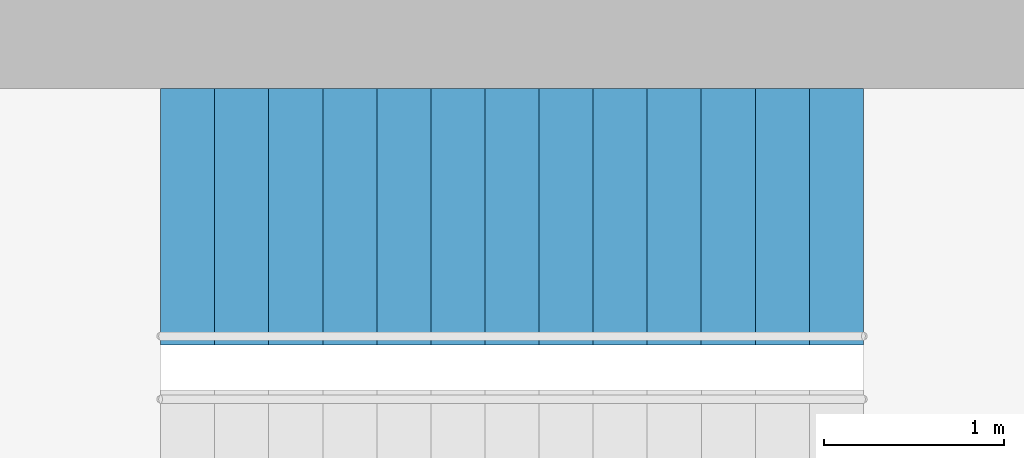
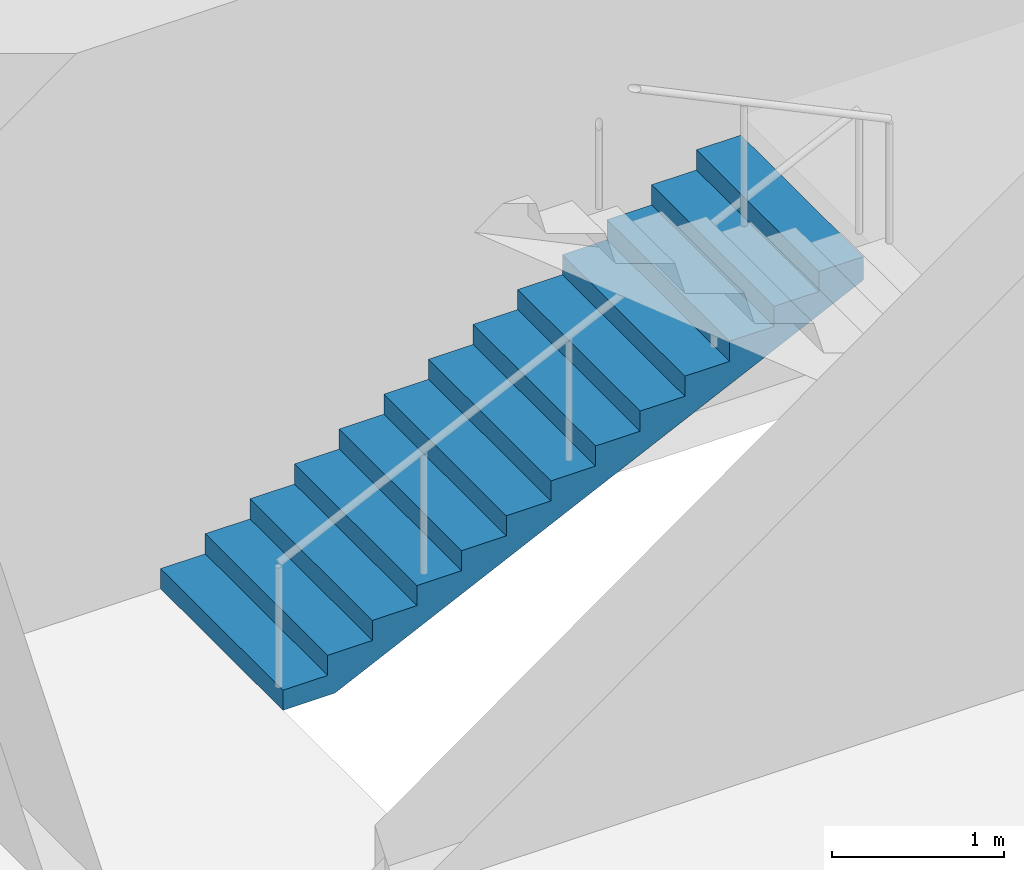
# One storey, part 44 of 45: 1 stair flight, 1 element without a shape of its own.
"""IFC4 building model written with IfcOpenShell, lengths in metres."""

from ifc_helpers import new_model, si_unit, direction, frame, origin, place, context, subcontext, project, spatial, polyline, outline, extrude, material, type_object, element, aggregate, save


model = new_model("IFC4")

# Units and contexts
model_context = context("Model", 3, precision=1e-05, world=origin(), true_north=direction((0.0, 1.0)))
body_context = subcontext(model_context, "Body", "Model", "MODEL_VIEW")
ifc_project = project(units=[si_unit("LENGTHUNIT", "METRE"), si_unit("AREAUNIT", "SQUARE_METRE"), si_unit("VOLUMEUNIT", "CUBIC_METRE"), si_unit("PLANEANGLEUNIT", "RADIAN"), si_unit("MASSUNIT", "GRAM", prefix="KILO")], contexts=[model_context])

# Site, building, storey
site_placement = place(None, origin())
site = spatial("IfcSite", under=ifc_project, at=site_placement, CompositionType="ELEMENT")
building_placement = place(site_placement, origin())
building = spatial("IfcBuilding", under=site, at=building_placement, Name="Zorevar Civic Tower", CompositionType="ELEMENT")
storey_placement = place(building_placement, frame((0.0, 0.0, 303.39990234375)))
storey = spatial("IfcBuildingStorey", under=building, at=storey_placement, Name="L74", CompositionType="ELEMENT", Elevation=303.39990234375)

# Stair, stair flight
ifc_material_1 = material(Name="Precast concrete C40/50", Category="concrete")
stair_type = type_object("IfcStairType", Name="Stair ST 28R", PredefinedType="HALF_TURN_STAIR", material=ifc_material_1)
stair_placement = place(storey_placement, origin())
stair = element("IfcStair", 1, at=stair_placement, inside=storey, type_object=stair_type, Name="Stair ST2 L74", PredefinedType="HALF_TURN_STAIR")
ifc_material_2 = material(Name="Precast concrete C40/50", Category="concrete")
stair_flight_type = type_object("IfcStairFlightType", Name="Stair flight", PredefinedType="STRAIGHT", material=ifc_material_2)
stair_flight_placement = place(storey_placement, frame((37.949951171875, 34.737548828125, 0.0), z_axis=(0.0, 0.0, 1.0), x_axis=(1.0, 0.0, 0.0)))
stair_flight = element("IfcStairFlight", 2, at=stair_flight_placement, type_object=stair_flight_type, Name="ST2 flight 1", NumberOfRisers=14, NumberOfTreads=13, PredefinedType="STRAIGHT", RiserHeight=0.142857143, TreadLength=0.3, context=body_context, shape_type="SweptSolid", body=[
    extrude(outline(polyline([(0.0, 0.0), (0.0, 0.142822265625), (0.300048828125, 0.142822265625), (0.300048828125, 0.28564453125), (0.60009765625, 0.28564453125), (0.60009765625, 0.428466796875), (0.89990234375, 0.428466796875), (0.89990234375, 0.571533203125), (1.199951171875, 0.571533203125), (1.199951171875, 0.71435546875), (1.5, 0.71435546875), (1.5, 0.857177734375), (1.800048828125, 0.857177734375), (1.800048828125, 1.0), (2.10009765625, 1.0), (2.10009765625, 1.142822265625), (2.39990234375, 1.142822265625), (2.39990234375, 1.28564453125), (2.699951171875, 1.28564453125), (2.699951171875, 1.428466796875), (3.0, 1.428466796875), (3.0, 1.571533203125), (3.300048828125, 1.571533203125), (3.300048828125, 1.71435546875), (3.60009765625, 1.71435546875), (3.60009765625, 1.857177734375), (3.89990234375, 1.857177734375), (3.89990234375, 2.0), (3.89990234375, 1.691162109375), (0.3486328125, 0.0), (0.0, 0.0)])), frame((0.0, 0.71240234375, 0.0), z_axis=(0.0, -1.0, 0.0), x_axis=(1.0, 0.0, 0.0)), (0.0, 0.0, 1.0), 1.425048828125),
])
aggregate(stair, [stair_flight])

save(model, "model.ifc")
